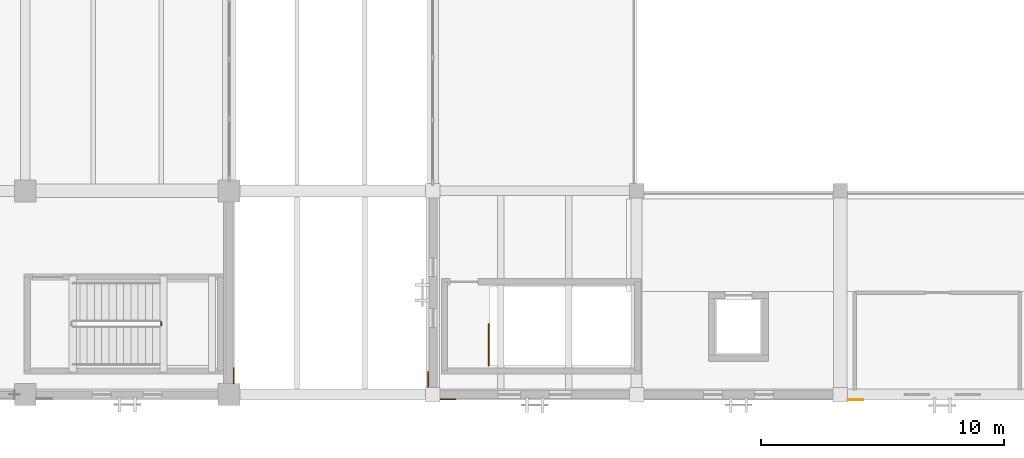
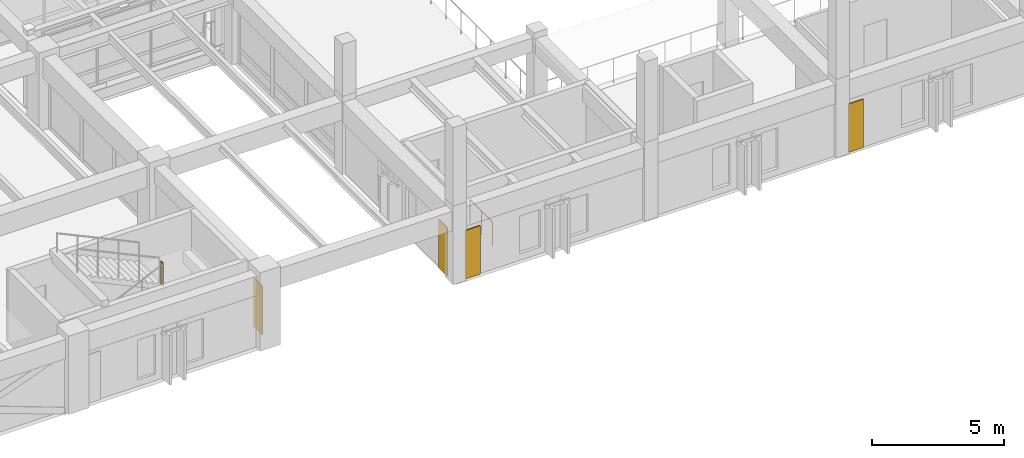
# One storey, part 95 of 118: 4 coverings, 2 railings.
"""IFC4 building model written with IfcOpenShell, lengths in metres."""

import ifcopenshell
import ifcopenshell.guid

model = None  # the IFC model being written
_history = None  # IfcOwnerHistory: only IFC2X3 demands one
_inside = {}  # id of a spatial element -> (the spatial element, [elements in it])
_under = {}  # id of a project, library or spatial element -> (it, [spatial elements below it])
_declared = {}  # id of a project -> (the project, [libraries it declares])
_typed = {}  # id of a type object -> (the type object, [elements of that type])
_made_of = {}  # id of a material, layer set ... -> (it, [elements and type objects made of it])


def new_model(schema):
    """Start an empty IFC model of exactly this schema.

    Asked for "IFC4X3", IfcOpenShell would pick the latest addendum, in which some entities
    have other attributes; the version numbers below select the first issue.
    IFC2X3 requires an IfcOwnerHistory on every rooted entity: one is made here for all.
    """
    global model, _history
    if schema == "IFC4X3":
        model = ifcopenshell.file(schema_version=(4, 3, 0, 0))
    else:
        model = ifcopenshell.file(schema=schema)
    _inside.clear()
    _under.clear()
    _declared.clear()
    _typed.clear()
    _made_of.clear()
    _history = None
    if model.schema == "IFC2X3":
        org = make("IfcOrganization", Name="unknown")
        user = make(
            "IfcPersonAndOrganization",
            ThePerson=make("IfcPerson", FamilyName="unknown"),
            TheOrganization=org,
        )
        app = make(
            "IfcApplication",
            ApplicationDeveloper=org,
            Version="unknown",
            ApplicationFullName="unknown",
            ApplicationIdentifier="unknown",
        )
        _history = make(
            "IfcOwnerHistory",
            OwningUser=user,
            OwningApplication=app,
            ChangeAction="ADDED",
            CreationDate=0,
        )
    return model


def make(cls, **values):
    """One entity of the class cls with the attributes given. An attribute that is None is left unset."""
    return model.create_entity(
        cls, **{name: value for name, value in values.items() if value is not None}
    )


def rooted(cls, **values):
    """An entity with a GlobalId (a new one), such as an element, a storey or a relation."""
    return make(cls, GlobalId=ifcopenshell.guid.new(), OwnerHistory=_history, **values)


def si_unit(unit_type, name, prefix=None):
    """IfcSIUnit, for example si_unit("LENGTHUNIT", "METRE", prefix="MILLI")."""
    return make("IfcSIUnit", UnitType=unit_type, Prefix=prefix, Name=name)


def assignment(units):
    """IfcUnitAssignment: the units of a project."""
    return None if units is None else make("IfcUnitAssignment", Units=units)


def point(xyz):
    """IfcCartesianPoint."""
    return None if xyz is None else make("IfcCartesianPoint", Coordinates=xyz)


def direction(xyz):
    """IfcDirection."""
    return None if xyz is None else make("IfcDirection", DirectionRatios=xyz)


def frame(location, z_axis=None, x_axis=None):
    """IfcAxis2Placement3D, a coordinate frame: its origin and axes. An axis left out is left unset."""
    return make(
        "IfcAxis2Placement3D",
        Location=point(location),
        Axis=direction(z_axis),
        RefDirection=direction(x_axis),
    )


def frame_2d(location, x_axis=None):
    """IfcAxis2Placement2D, a coordinate frame in the plane: its origin and x axis."""
    return make(
        "IfcAxis2Placement2D", Location=point(location), RefDirection=direction(x_axis)
    )


def origin():
    """The frame at (0, 0, 0) with its axes left unset."""
    return frame((0.0, 0.0, 0.0))


def origin_2d():
    """The frame at (0, 0) in the plane with its x axis left unset."""
    return frame_2d((0.0, 0.0))


def place(relative_to, where):
    """IfcLocalPlacement: puts the frame where relative to a parent placement (None: the world)."""
    return make(
        "IfcLocalPlacement", PlacementRelTo=relative_to, RelativePlacement=where
    )


def context(
    kind, dimensions, precision=None, world=None, true_north=None, identifier=None
):
    """IfcGeometricRepresentationContext, for example the 3D "Model" context."""
    return make(
        "IfcGeometricRepresentationContext",
        ContextIdentifier=identifier,
        ContextType=kind,
        CoordinateSpaceDimension=dimensions,
        Precision=precision,
        WorldCoordinateSystem=world,
        TrueNorth=true_north,
    )


def subcontext(parent, identifier, kind, view, scale=None):
    """IfcGeometricRepresentationSubContext, for example "Body" below "Model"."""
    return make(
        "IfcGeometricRepresentationSubContext",
        ContextIdentifier=identifier,
        ContextType=kind,
        ParentContext=parent,
        TargetScale=scale,
        TargetView=view,
    )


def project(units=None, contexts=None):
    """IfcProject with its units and contexts."""
    return rooted(
        "IfcProject",
        Name="project",
        RepresentationContexts=contexts,
        UnitsInContext=assignment(units),
    )


def spatial(cls, under=None, at=None, **own):
    """A site, building, storey or space (cls), placed at a placement, below another one or the project."""
    s = rooted(cls, ObjectPlacement=at, **own)
    if under is not None:
        _under.setdefault(under.id(), (under, []))[1].append(s)
    return s


def polyline(points):
    """IfcPolyline through the points."""
    return make("IfcPolyline", Points=[point(p) for p in points])


def profile(cls, at=None, kind="AREA", **sizes):
    """A parametric profile (cls). Its sizes go by their IFC names, for example OverallWidth=200.0."""
    return make(cls, ProfileType=kind, Position=at, **sizes)


def circle(**sizes):
    """IfcCircleProfileDef."""
    return profile("IfcCircleProfileDef", **sizes)


def outline(outer, holes=None, kind="AREA"):
    """IfcArbitraryClosedProfileDef: a profile drawn as a closed curve; with holes, ...WithVoids."""
    if holes is None:
        return make("IfcArbitraryClosedProfileDef", ProfileType=kind, OuterCurve=outer)
    return make(
        "IfcArbitraryProfileDefWithVoids",
        ProfileType=kind,
        OuterCurve=outer,
        InnerCurves=holes,
    )


def extrude(swept, where, along, depth):
    """IfcExtrudedAreaSolid: the profile swept, set in the frame where, extruded along a direction by depth."""
    return make(
        "IfcExtrudedAreaSolid",
        SweptArea=swept,
        Position=where,
        ExtrudedDirection=direction(along),
        Depth=depth,
    )


def shape(context_of_items, identifier, shape_type, items):
    """IfcShapeRepresentation: the items that make up one representation, for example the "Body"."""
    return make(
        "IfcShapeRepresentation",
        ContextOfItems=context_of_items,
        RepresentationIdentifier=identifier,
        RepresentationType=shape_type,
        Items=items,
    )


def material(Name=None, Category=None):
    """IfcMaterial."""
    return make("IfcMaterial", Name=Name, Category=Category)


def layer(
    of_material, thickness, ventilated=None, Name=None, Category=None, Priority=None
):
    """IfcMaterialLayer: one layer of a wall or slab, of a material (None: an air gap)."""
    return make(
        "IfcMaterialLayer",
        Material=of_material,
        LayerThickness=thickness,
        IsVentilated=ventilated,
        Name=Name,
        Category=Category,
        Priority=Priority,
    )


def layer_set(layers, Name=None):
    """IfcMaterialLayerSet."""
    return make("IfcMaterialLayerSet", MaterialLayers=layers, LayerSetName=Name)


def made_of(thing, what):
    """Note that an element or type object is made of a material, layer set ...; save() writes the relation."""
    if what is not None:
        _made_of.setdefault(what.id(), (what, []))[1].append(thing)
    return thing


def type_object(cls, material=None, **own):
    """A type object (cls), such as IfcWallType, which elements share."""
    return made_of(rooted(cls, **own), material)


def element(
    cls,
    number,
    at=None,
    inside=None,
    cuts=None,
    type_object=None,
    material=None,
    context=None,
    identifier="Body",
    shape_type=None,
    held_by="IfcProductDefinitionShape",
    body=None,
    shapes=None,
    **own,
):
    """One element of the class cls, such as IfcWall. Its Tag is "e" and its number.

    at: its placement. inside: the storey or other place that contains it. cuts: it is an
    opening in that element (IfcRelVoidsElement). A single representation is given by context,
    identifier, shape_type and body (its items); several are given by shapes. held_by: the class
    of the entity that holds the representations. save() writes the other relations.
    """
    e = rooted(cls, Tag="e%d" % number, ObjectPlacement=at, **own)
    if body is not None:
        shapes = [shape(context, identifier, shape_type, body)]
    if shapes is not None:
        e.Representation = make(held_by, Representations=shapes)
    if inside is not None:
        _inside.setdefault(inside.id(), (inside, []))[1].append(e)
    if cuts is not None:
        rooted(
            "IfcRelVoidsElement", RelatingBuildingElement=cuts, RelatedOpeningElement=e
        )
    if type_object is not None:
        _typed.setdefault(type_object.id(), (type_object, []))[1].append(e)
    return made_of(e, material)


def aggregate(whole, parts):
    """IfcRelAggregates: a whole, such as a stair, and the parts it consists of."""
    return rooted("IfcRelAggregates", RelatingObject=whole, RelatedObjects=parts)


def save(model, path):
    """Write the relations noted so far, then the file.

    IfcRelAggregates (storeys below a building ...), IfcRelContainedInSpatialStructure (elements
    in a storey), IfcRelDefinesByType, IfcRelAssociatesMaterial and IfcRelDeclares: one each for
    every whole, place, type object, material and project.
    """
    for whole, parts in _under.values():
        aggregate(whole, parts)
    for where, things in _inside.values():
        rooted(
            "IfcRelContainedInSpatialStructure",
            RelatedElements=things,
            RelatingStructure=where,
        )
    for kind, things in _typed.values():
        rooted("IfcRelDefinesByType", RelatedObjects=things, RelatingType=kind)
    for what, things in _made_of.values():
        rooted("IfcRelAssociatesMaterial", RelatedObjects=things, RelatingMaterial=what)
    for by, libraries in _declared.values():
        rooted("IfcRelDeclares", RelatingContext=by, RelatedDefinitions=libraries)
    model.write(path)


model = new_model("IFC4")

# Units and contexts
model_context = context("Model", 3, precision=1e-05, world=origin(), true_north=direction((0.0, 1.0)))
body_context = subcontext(model_context, "Body", "Model", "MODEL_VIEW")
ifc_project = project(units=[si_unit("LENGTHUNIT", "METRE"), si_unit("AREAUNIT", "SQUARE_METRE"), si_unit("VOLUMEUNIT", "CUBIC_METRE"), si_unit("PLANEANGLEUNIT", "RADIAN"), si_unit("MASSUNIT", "GRAM", prefix="KILO")], contexts=[model_context])

# Site, building, storey
site_placement = place(None, origin())
site = spatial("IfcSite", under=ifc_project, at=site_placement, CompositionType="ELEMENT")
building_placement = place(site_placement, origin())
building = spatial("IfcBuilding", under=site, at=building_placement, Name="Cumbredor Promenade Congress Hotel", CompositionType="ELEMENT")
storey_placement = place(building_placement, frame((0.0, 0.0, 3.919921875)))
storey = spatial("IfcBuildingStorey", under=building, at=storey_placement, Name="L01", CompositionType="ELEMENT", Elevation=3.919921875)

# Coverings
ifc_material_1 = material(Name="Precast concrete C40/50", Category="concrete")
ifc_layer_1 = layer(ifc_material_1, 0.044921875, Name="Precast concrete C40/50", Category="concrete")
ifc_layer_set_1 = layer_set([ifc_layer_1], Name="Precast concrete C40/50")
covering_type_1 = type_object("IfcCoveringType", Name="Board-Formed Architectural Cladding Panel 45mm", PredefinedType="CLADDING", material=ifc_layer_set_1)
covering_1_placement = place(storey_placement, origin())
element("IfcCovering", 1, at=covering_1_placement, inside=storey, type_object=covering_type_1, Name="L01 Facade Stone Cladding Pier 052", PredefinedType="CLADDING", context=body_context, shape_type="SweptSolid", body=[
    extrude(outline(polyline([(67.362548828125, 8.85107421875), (67.362548828125, 9.5009765625), (67.407470703125, 9.5009765625), (67.407470703125, 8.85107421875), (67.362548828125, 8.85107421875)])), origin(), (0.0, 0.0, 1.0), 2.25),
])
covering_2_placement = place(storey_placement, origin())
element("IfcCovering", 2, at=covering_2_placement, inside=storey, type_object=covering_type_1, Name="L01 Facade Stone Cladding Pier 062", PredefinedType="CLADDING", context=body_context, shape_type="SweptSolid", body=[
    extrude(outline(polyline([(75.90087890625, 8.237548828125), (76.551025390625, 8.237548828125), (76.551025390625, 8.1923828125), (75.90087890625, 8.1923828125), (75.90087890625, 8.237548828125)])), origin(), (0.0, 0.0, 1.0), 2.25),
])
covering_3_placement = place(storey_placement, origin())
element("IfcCovering", 3, at=covering_3_placement, inside=storey, type_object=covering_type_1, Name="L01 Facade Stone Cladding Pier 066", PredefinedType="CLADDING", context=body_context, shape_type="SweptSolid", body=[
    extrude(outline(polyline([(75.4375, 8.700927734375), (75.4375, 9.35107421875), (75.392578125, 9.35107421875), (75.392578125, 8.700927734375), (75.4375, 8.700927734375)])), origin(), (0.0, 0.0, 1.0), 2.25),
])

# Railings
ifc_material_2 = material(Name="Brushed stainless steel", Category="steel")
railing_type = type_object("IfcRailingType", Name="Interior Void & Stair Guardrail GR-1100", PredefinedType="GUARDRAIL", material=ifc_material_2)
railing_1_placement = place(storey_placement, frame((64.39990234375, 11.25, 1.820068359375)))
element("IfcRailing", 4, at=railing_1_placement, inside=storey, type_object=railing_type, Name="L01 ST-05 stair guard 2", PredefinedType="GUARDRAIL", context=body_context, shape_type="SweptSolid", body=[
    extrude(circle(Radius=0.02392578125, at=origin_2d()), frame((0.0, 0.0, 1.09619140625), z_axis=(0.0, 1.0, 0.0), x_axis=(-1.0, 0.0, 0.0)), (0.0, 0.0, 1.0), 0.14990234375),
    extrude(circle(Radius=0.02099609375, at=origin_2d()), origin(), (0.0, 0.0, 1.0), 1.072021484375),
    extrude(circle(Radius=0.02099609375, at=origin_2d()), frame((0.0, 0.14990234375, 0.0)), (0.0, 0.0, 1.0), 1.072021484375),
])
railing_2_placement = place(storey_placement, frame((77.89990234375, 9.60009765625, 0.0)))
element("IfcRailing", 5, at=railing_2_placement, inside=storey, type_object=railing_type, Name="L01 ST-11 top well guard 1", PredefinedType="GUARDRAIL", context=body_context, shape_type="SweptSolid", body=[
    extrude(circle(Radius=0.02392578125, at=origin_2d()), frame((0.0, 0.0, 1.09619140625), z_axis=(0.0, 1.0, 0.0), x_axis=(-1.0, 0.0, 0.0)), (0.0, 0.0, 1.0), 1.699951171875),
    extrude(circle(Radius=0.02099609375, at=origin_2d()), origin(), (0.0, 0.0, 1.0), 1.072021484375),
    extrude(circle(Radius=0.02099609375, at=origin_2d()), frame((0.0, 0.85009765625, 0.0)), (0.0, 0.0, 1.0), 1.072021484375),
    extrude(circle(Radius=0.02099609375, at=origin_2d()), frame((0.0, 1.699951171875, 0.0)), (0.0, 0.0, 1.0), 1.072021484375),
])

# Covering
ifc_material_3 = material(Name="Volcanic andesite ashlar cladding", Category="masonry")
ifc_layer_2 = layer(ifc_material_3, 0.034912109375, Name="Volcanic andesite ashlar cladding", Category="masonry")
ifc_layer_set_2 = layer_set([ifc_layer_2], Name="Volcanic andesite ashlar cladding")
covering_type_2 = type_object("IfcCoveringType", Name="Volcanic Andesite Ashlar Rainscreen Cladding 35mm", PredefinedType="CLADDING", material=ifc_layer_set_2)
covering_4_placement = place(storey_placement, origin())
element("IfcCovering", 6, at=covering_4_placement, inside=storey, type_object=covering_type_2, Name="L01 Facade Stone Cladding Pier 063", PredefinedType="CLADDING", context=body_context, shape_type="SweptSolid", body=[
    extrude(outline(polyline([(92.700927734375, 8.2099609375), (93.35107421875, 8.2099609375), (93.35107421875, 8.175048828125), (92.700927734375, 8.175048828125), (92.700927734375, 8.2099609375)])), origin(), (0.0, 0.0, 1.0), 2.25),
])

save(model, "model.ifc")
